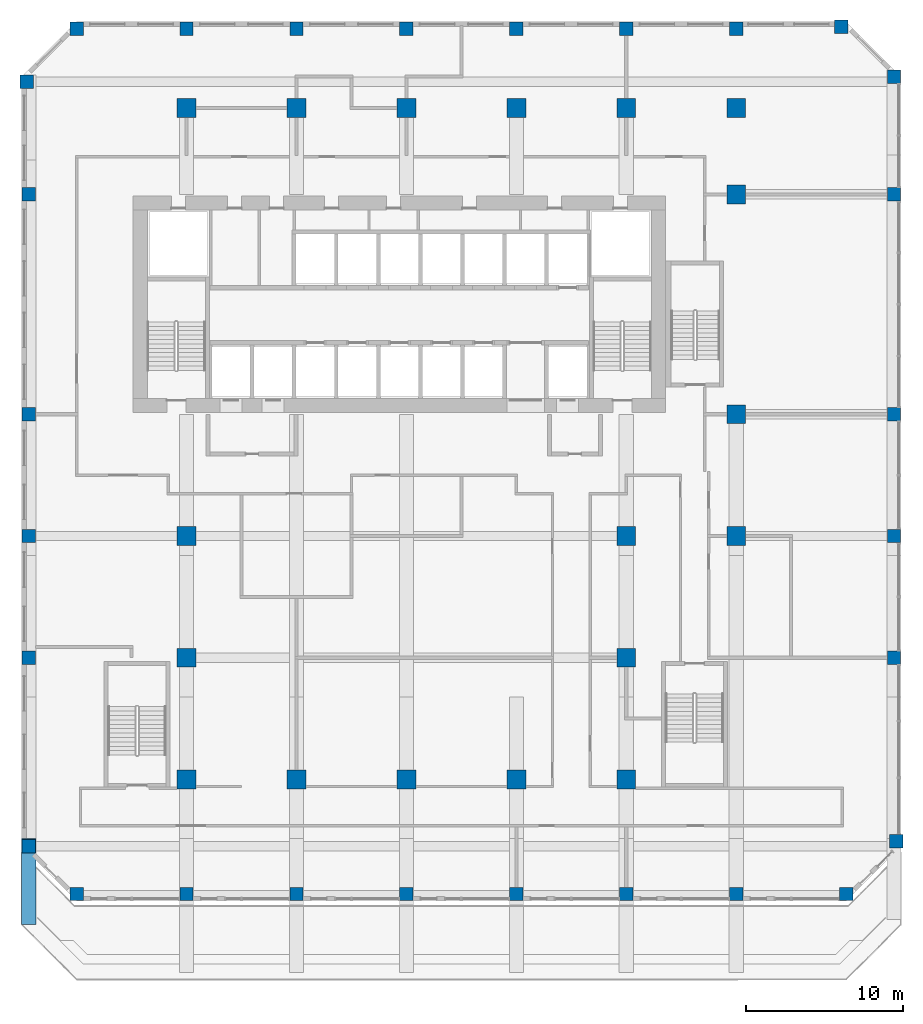
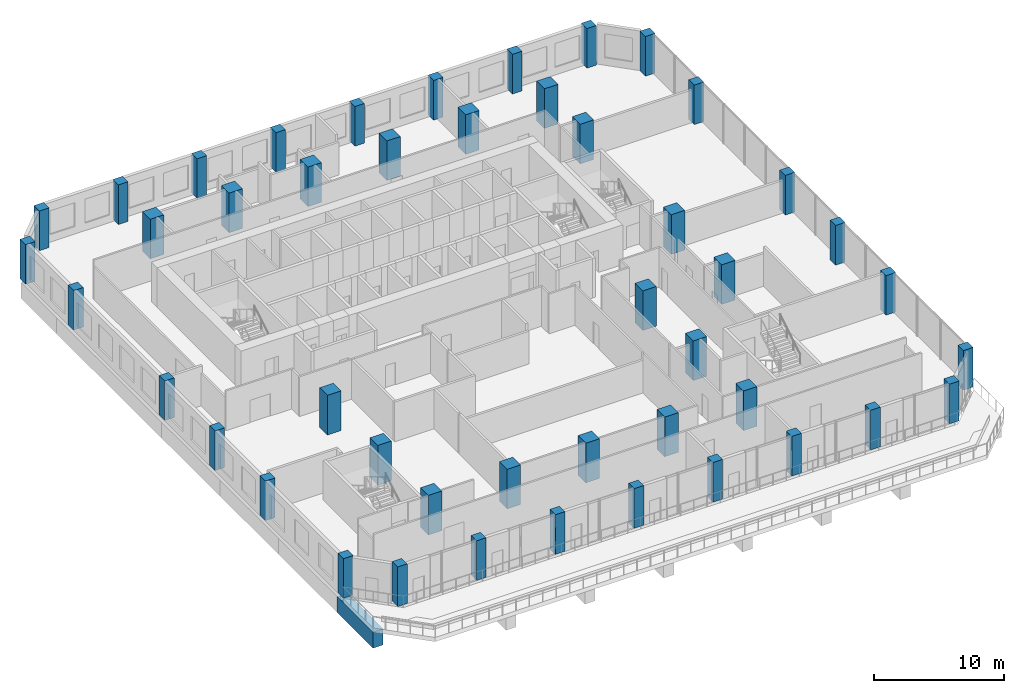
# One storey, part 1 of 17: 46 columns, 1 beam.
"""IFC4 building model written with IfcOpenShell, lengths in metres."""

import ifcopenshell
import ifcopenshell.guid

model = None  # the IFC model being written
_history = None  # IfcOwnerHistory: only IFC2X3 demands one
_inside = {}  # id of a spatial element -> (the spatial element, [elements in it])
_under = {}  # id of a project, library or spatial element -> (it, [spatial elements below it])
_declared = {}  # id of a project -> (the project, [libraries it declares])
_typed = {}  # id of a type object -> (the type object, [elements of that type])
_made_of = {}  # id of a material, layer set ... -> (it, [elements and type objects made of it])


def new_model(schema):
    """Start an empty IFC model of exactly this schema.

    Asked for "IFC4X3", IfcOpenShell would pick the latest addendum, in which some entities
    have other attributes; the version numbers below select the first issue.
    IFC2X3 requires an IfcOwnerHistory on every rooted entity: one is made here for all.
    """
    global model, _history
    if schema == "IFC4X3":
        model = ifcopenshell.file(schema_version=(4, 3, 0, 0))
    else:
        model = ifcopenshell.file(schema=schema)
    _inside.clear()
    _under.clear()
    _declared.clear()
    _typed.clear()
    _made_of.clear()
    _history = None
    if model.schema == "IFC2X3":
        org = make("IfcOrganization", Name="unknown")
        user = make(
            "IfcPersonAndOrganization",
            ThePerson=make("IfcPerson", FamilyName="unknown"),
            TheOrganization=org,
        )
        app = make(
            "IfcApplication",
            ApplicationDeveloper=org,
            Version="unknown",
            ApplicationFullName="unknown",
            ApplicationIdentifier="unknown",
        )
        _history = make(
            "IfcOwnerHistory",
            OwningUser=user,
            OwningApplication=app,
            ChangeAction="ADDED",
            CreationDate=0,
        )
    return model


def make(cls, **values):
    """One entity of the class cls with the attributes given. An attribute that is None is left unset."""
    return model.create_entity(
        cls, **{name: value for name, value in values.items() if value is not None}
    )


def rooted(cls, **values):
    """An entity with a GlobalId (a new one), such as an element, a storey or a relation."""
    return make(cls, GlobalId=ifcopenshell.guid.new(), OwnerHistory=_history, **values)


def si_unit(unit_type, name, prefix=None):
    """IfcSIUnit, for example si_unit("LENGTHUNIT", "METRE", prefix="MILLI")."""
    return make("IfcSIUnit", UnitType=unit_type, Prefix=prefix, Name=name)


def assignment(units):
    """IfcUnitAssignment: the units of a project."""
    return None if units is None else make("IfcUnitAssignment", Units=units)


def point(xyz):
    """IfcCartesianPoint."""
    return None if xyz is None else make("IfcCartesianPoint", Coordinates=xyz)


def direction(xyz):
    """IfcDirection."""
    return None if xyz is None else make("IfcDirection", DirectionRatios=xyz)


def frame(location, z_axis=None, x_axis=None):
    """IfcAxis2Placement3D, a coordinate frame: its origin and axes. An axis left out is left unset."""
    return make(
        "IfcAxis2Placement3D",
        Location=point(location),
        Axis=direction(z_axis),
        RefDirection=direction(x_axis),
    )


def frame_2d(location, x_axis=None):
    """IfcAxis2Placement2D, a coordinate frame in the plane: its origin and x axis."""
    return make(
        "IfcAxis2Placement2D", Location=point(location), RefDirection=direction(x_axis)
    )


def origin():
    """The frame at (0, 0, 0) with its axes left unset."""
    return frame((0.0, 0.0, 0.0))


def origin_2d():
    """The frame at (0, 0) in the plane with its x axis left unset."""
    return frame_2d((0.0, 0.0))


def place(relative_to, where):
    """IfcLocalPlacement: puts the frame where relative to a parent placement (None: the world)."""
    return make(
        "IfcLocalPlacement", PlacementRelTo=relative_to, RelativePlacement=where
    )


def context(
    kind, dimensions, precision=None, world=None, true_north=None, identifier=None
):
    """IfcGeometricRepresentationContext, for example the 3D "Model" context."""
    return make(
        "IfcGeometricRepresentationContext",
        ContextIdentifier=identifier,
        ContextType=kind,
        CoordinateSpaceDimension=dimensions,
        Precision=precision,
        WorldCoordinateSystem=world,
        TrueNorth=true_north,
    )


def subcontext(parent, identifier, kind, view, scale=None):
    """IfcGeometricRepresentationSubContext, for example "Body" below "Model"."""
    return make(
        "IfcGeometricRepresentationSubContext",
        ContextIdentifier=identifier,
        ContextType=kind,
        ParentContext=parent,
        TargetScale=scale,
        TargetView=view,
    )


def project(units=None, contexts=None):
    """IfcProject with its units and contexts."""
    return rooted(
        "IfcProject",
        Name="project",
        RepresentationContexts=contexts,
        UnitsInContext=assignment(units),
    )


def spatial(cls, under=None, at=None, **own):
    """A site, building, storey or space (cls), placed at a placement, below another one or the project."""
    s = rooted(cls, ObjectPlacement=at, **own)
    if under is not None:
        _under.setdefault(under.id(), (under, []))[1].append(s)
    return s


def profile(cls, at=None, kind="AREA", **sizes):
    """A parametric profile (cls). Its sizes go by their IFC names, for example OverallWidth=200.0."""
    return make(cls, ProfileType=kind, Position=at, **sizes)


def rectangle(**sizes):
    """IfcRectangleProfileDef."""
    return profile("IfcRectangleProfileDef", **sizes)


def extrude(swept, where, along, depth):
    """IfcExtrudedAreaSolid: the profile swept, set in the frame where, extruded along a direction by depth."""
    return make(
        "IfcExtrudedAreaSolid",
        SweptArea=swept,
        Position=where,
        ExtrudedDirection=direction(along),
        Depth=depth,
    )


def shape(context_of_items, identifier, shape_type, items):
    """IfcShapeRepresentation: the items that make up one representation, for example the "Body"."""
    return make(
        "IfcShapeRepresentation",
        ContextOfItems=context_of_items,
        RepresentationIdentifier=identifier,
        RepresentationType=shape_type,
        Items=items,
    )


def source(mapping_origin, context_of_items, identifier, shape_type, items):
    """IfcRepresentationMap: a shape defined once, which mapped items show again and again."""
    return make(
        "IfcRepresentationMap",
        MappingOrigin=mapping_origin,
        MappedRepresentation=shape(context_of_items, identifier, shape_type, items),
    )


def transform(
    local_origin,
    x_axis=None,
    y_axis=None,
    z_axis=None,
    scale=None,
    scale2=None,
    scale3=None,
    uniform=True,
):
    """IfcCartesianTransformationOperator3D, or its non-uniform kind. x_axis, y_axis, z_axis: its Axis1, 2, 3."""
    if uniform:
        return make(
            "IfcCartesianTransformationOperator3D",
            Axis1=direction(x_axis),
            Axis2=direction(y_axis),
            LocalOrigin=point(local_origin),
            Scale=scale,
            Axis3=direction(z_axis),
        )
    return make(
        "IfcCartesianTransformationOperator3DnonUniform",
        Axis1=direction(x_axis),
        Axis2=direction(y_axis),
        LocalOrigin=point(local_origin),
        Scale=scale,
        Axis3=direction(z_axis),
        Scale2=scale2,
        Scale3=scale3,
    )


def mapped(mapping_source, mapping_target):
    """IfcMappedItem: shows the shape of a source again, moved by a transform."""
    return make(
        "IfcMappedItem", MappingSource=mapping_source, MappingTarget=mapping_target
    )


def material(Name=None, Category=None):
    """IfcMaterial."""
    return make("IfcMaterial", Name=Name, Category=Category)


def material_profile(
    of_material, cross_section, Name=None, Category=None, Priority=None
):
    """IfcMaterialProfile: a cross section and its material."""
    return make(
        "IfcMaterialProfile",
        Name=Name,
        Material=of_material,
        Profile=cross_section,
        Priority=Priority,
        Category=Category,
    )


def profile_set(profiles, Name=None, composite=None):
    """IfcMaterialProfileSet."""
    return make(
        "IfcMaterialProfileSet",
        Name=Name,
        MaterialProfiles=profiles,
        CompositeProfile=composite,
    )


def made_of(thing, what):
    """Note that an element or type object is made of a material, layer set ...; save() writes the relation."""
    if what is not None:
        _made_of.setdefault(what.id(), (what, []))[1].append(thing)
    return thing


def type_object(cls, material=None, **own):
    """A type object (cls), such as IfcWallType, which elements share."""
    return made_of(rooted(cls, **own), material)


def element(
    cls,
    number,
    at=None,
    inside=None,
    cuts=None,
    type_object=None,
    material=None,
    context=None,
    identifier="Body",
    shape_type=None,
    held_by="IfcProductDefinitionShape",
    body=None,
    shapes=None,
    **own,
):
    """One element of the class cls, such as IfcWall. Its Tag is "e" and its number.

    at: its placement. inside: the storey or other place that contains it. cuts: it is an
    opening in that element (IfcRelVoidsElement). A single representation is given by context,
    identifier, shape_type and body (its items); several are given by shapes. held_by: the class
    of the entity that holds the representations. save() writes the other relations.
    """
    e = rooted(cls, Tag="e%d" % number, ObjectPlacement=at, **own)
    if body is not None:
        shapes = [shape(context, identifier, shape_type, body)]
    if shapes is not None:
        e.Representation = make(held_by, Representations=shapes)
    if inside is not None:
        _inside.setdefault(inside.id(), (inside, []))[1].append(e)
    if cuts is not None:
        rooted(
            "IfcRelVoidsElement", RelatingBuildingElement=cuts, RelatedOpeningElement=e
        )
    if type_object is not None:
        _typed.setdefault(type_object.id(), (type_object, []))[1].append(e)
    return made_of(e, material)


def aggregate(whole, parts):
    """IfcRelAggregates: a whole, such as a stair, and the parts it consists of."""
    return rooted("IfcRelAggregates", RelatingObject=whole, RelatedObjects=parts)


def save(model, path):
    """Write the relations noted so far, then the file.

    IfcRelAggregates (storeys below a building ...), IfcRelContainedInSpatialStructure (elements
    in a storey), IfcRelDefinesByType, IfcRelAssociatesMaterial and IfcRelDeclares: one each for
    every whole, place, type object, material and project.
    """
    for whole, parts in _under.values():
        aggregate(whole, parts)
    for where, things in _inside.values():
        rooted(
            "IfcRelContainedInSpatialStructure",
            RelatedElements=things,
            RelatingStructure=where,
        )
    for kind, things in _typed.values():
        rooted("IfcRelDefinesByType", RelatedObjects=things, RelatingType=kind)
    for what, things in _made_of.values():
        rooted("IfcRelAssociatesMaterial", RelatedObjects=things, RelatingMaterial=what)
    for by, libraries in _declared.values():
        rooted("IfcRelDeclares", RelatingContext=by, RelatedDefinitions=libraries)
    model.write(path)


model = new_model("IFC4")

# Units and contexts
model_context = context("Model", 3, precision=1e-05, world=origin(), true_north=direction((0.0, 1.0)))
body_context = subcontext(model_context, "Body", "Model", "MODEL_VIEW")
ifc_project = project(units=[si_unit("LENGTHUNIT", "METRE"), si_unit("AREAUNIT", "SQUARE_METRE"), si_unit("VOLUMEUNIT", "CUBIC_METRE"), si_unit("PLANEANGLEUNIT", "RADIAN"), si_unit("MASSUNIT", "GRAM", prefix="KILO")], contexts=[model_context])

# Site, building, storey
site_placement = place(None, origin())
site = spatial("IfcSite", under=ifc_project, at=site_placement, CompositionType="ELEMENT")
building_placement = place(site_placement, origin())
building = spatial("IfcBuilding", under=site, at=building_placement, Name="Kilnfold Tower and Market Hall", CompositionType="ELEMENT")
storey_placement = place(building_placement, frame((0.0, 0.0, 100.60009765625)))
storey = spatial("IfcBuildingStorey", under=building, at=storey_placement, Name="L23", CompositionType="ELEMENT", Elevation=100.60009765625)

# Columns
ifc_material_1 = material(Name="Concrete C80", Category="concrete")
ifc_material_profile_1 = material_profile(ifc_material_1, rectangle(XDim=0.85009765625, YDim=0.85009765625, at=origin_2d()), Name="RC 850x850")
ifc_profile_set_1 = profile_set([ifc_material_profile_1], Name="Concrete C80")
column_type_1 = type_object("IfcColumnType", Name="COLUMN 850X850 C80", PredefinedType="COLUMN", material=ifc_profile_set_1)
shared_shape_1 = source(origin(), body_context, "Body", "SweptSolid", [
    extrude(rectangle(XDim=0.85009765625, YDim=0.85009765625, at=origin_2d()), origin(), (0.0, 0.0, 1.0), 3.719970703125),
])
for number, where, z_axis, x_axis, name in (
    (1, (-22.681884765625, 29.181884765625, 0.0), (0.0, 0.0, 1.0), (1.0, 0.0, 0.0), "Column C-B3-1I"),
    (2, (-22.550048828125, -19.5, 0.0), (0.0, 0.0, 1.0), (1.0, 0.0, 0.0), "Column C-B3-1B"),
    (3, (-22.550048828125, -7.5, 0.0), (0.0, 0.0, 1.0), (1.0, 0.0, 0.0), "Column C-B3-1D"),
    (4, (-22.550048828125, 0.25, 0.0), (0.0, 0.0, 1.0), (1.0, 0.0, 0.0), "Column C-B3-1E"),
    (5, (-22.550048828125, 8.0, 0.0), (0.0, 0.0, 1.0), (1.0, 0.0, 0.0), "Column C-B3-1F"),
    (6, (-22.550048828125, 22.0, 0.0), (0.0, 0.0, 1.0), (1.0, 0.0, 0.0), "Column C-B3-1G"),
    (7, (-19.5, -22.550048828125, 0.0), (0.0, 0.0, 1.0), (1.0, 0.0, 0.0), "Column C-B3-2A"),
    (8, (-19.5, 32.550048828125, 0.0), (0.0, 0.0, 1.0), (1.0, 0.0, 0.0), "Column C-B3-2J"),
    (9, (-12.5, -22.550048828125, 0.0), (0.0, 0.0, 1.0), (1.0, 0.0, 0.0), "Column C-B3-3A"),
    (10, (-12.5, 32.550048828125, 0.0), (0.0, 0.0, 1.0), (1.0, 0.0, 0.0), "Column C-B3-3J"),
    (11, (-5.5, -22.550048828125, 0.0), (0.0, 0.0, 1.0), (1.0, 0.0, 0.0), "Column C-B3-4A"),
    (12, (-5.5, 32.550048828125, 0.0), (0.0, 0.0, 1.0), (1.0, 0.0, 0.0), "Column C-B3-4J"),
    (13, (1.5, -22.550048828125, 0.0), (0.0, 0.0, 1.0), (1.0, 0.0, 0.0), "Column C-B3-5A"),
    (14, (1.5, 32.550048828125, 0.0), (0.0, 0.0, 1.0), (1.0, 0.0, 0.0), "Column C-B3-5J"),
    (15, (8.5, -22.550048828125, 0.0), (0.0, 0.0, 1.0), (1.0, 0.0, 0.0), "Column C-B3-6A"),
    (16, (8.5, 32.550048828125, 0.0), (0.0, 0.0, 1.0), (1.0, 0.0, 0.0), "Column C-B3-6J"),
    (17, (15.5, -22.550048828125, 0.0), (0.0, 0.0, 1.0), (1.0, 0.0, 0.0), "Column C-B3-7A"),
    (18, (15.5, 32.550048828125, 0.0), (0.0, 0.0, 1.0), (1.0, 0.0, 0.0), "Column C-B3-7J"),
    (19, (22.5, -22.550048828125, 0.0), (0.0, 0.0, 1.0), (1.0, 0.0, 0.0), "Column C-B3-8A"),
    (20, (22.5, 32.550048828125, 0.0), (0.0, 0.0, 1.0), (1.0, 0.0, 0.0), "Column C-B3-8J"),
    (21, (29.181884765625, 32.681884765625, 0.0), (0.0, 0.0, 1.0), (1.0, 0.0, 0.0), "Column C-B3-9J"),
    (22, (29.5, -22.550048828125, 0.0), (0.0, 0.0, 1.0), (1.0, 0.0, 0.0), "Column C-B3-9A"),
    (23, (32.550048828125, -7.5, 0.0), (0.0, 0.0, 1.0), (1.0, 0.0, 0.0), "Column C-B3-10D"),
    (24, (32.550048828125, 0.25, 0.0), (0.0, 0.0, 1.0), (1.0, 0.0, 0.0), "Column C-B3-10E"),
    (25, (32.550048828125, 8.0, 0.0), (0.0, 0.0, 1.0), (1.0, 0.0, 0.0), "Column C-B3-10F"),
    (26, (32.550048828125, 22.0, 0.0), (0.0, 0.0, 1.0), (1.0, 0.0, 0.0), "Column C-B3-10G"),
    (27, (32.550048828125, 29.5, 0.0), (0.0, 0.0, 1.0), (1.0, 0.0, 0.0), "Column C-B3-10I"),
    (28, (32.681884765625, -19.181884765625, 0.0), (0.0, 0.0, 1.0), (1.0, 0.0, 0.0), "Column C-B3-10B"),
):
    element("IfcColumn", number, at=place(storey_placement, frame(where, z_axis=z_axis, x_axis=x_axis)), inside=storey, type_object=column_type_1, Name=name, PredefinedType="COLUMN", context=body_context, shape_type="MappedRepresentation", body=[
        mapped(shared_shape_1, transform((0.0, 0.0, 0.0))),
    ])
ifc_material_2 = material(Name="Concrete C80", Category="concrete")
ifc_material_profile_2 = material_profile(ifc_material_2, rectangle(XDim=1.199951171875, YDim=1.199951171875, at=origin_2d()), Name="RC 1200x1200")
ifc_profile_set_2 = profile_set([ifc_material_profile_2], Name="Concrete C80")
column_type_2 = type_object("IfcColumnType", Name="COLUMN 1200X1200 C80", PredefinedType="COLUMN", material=ifc_profile_set_2)
shared_shape_2 = source(origin(), body_context, "Body", "SweptSolid", [
    extrude(rectangle(XDim=1.199951171875, YDim=1.199951171875, at=origin_2d()), origin(), (0.0, 0.0, 1.0), 3.719970703125),
])
for number, where, z_axis, x_axis, name in (
    (29, (-12.5, -15.25, 0.0), (0.0, 0.0, 1.0), (1.0, 0.0, 0.0), "Column C-B3-3C"),
    (30, (-12.5, -7.5, 0.0), (0.0, 0.0, 1.0), (1.0, 0.0, 0.0), "Column C-B3-3D"),
    (31, (-12.5, 0.25, 0.0), (0.0, 0.0, 1.0), (1.0, 0.0, 0.0), "Column C-B3-3E"),
    (32, (-12.5, 27.5, 0.0), (0.0, 0.0, 1.0), (1.0, 0.0, 0.0), "Column C-B3-3H"),
    (33, (-5.5, -15.25, 0.0), (0.0, 0.0, 1.0), (1.0, 0.0, 0.0), "Column C-B3-4C"),
    (34, (-5.5, 27.5, 0.0), (0.0, 0.0, 1.0), (1.0, 0.0, 0.0), "Column C-B3-4H"),
    (35, (1.5, -15.25, 0.0), (0.0, 0.0, 1.0), (1.0, 0.0, 0.0), "Column C-B3-5C"),
    (36, (1.5, 27.5, 0.0), (0.0, 0.0, 1.0), (1.0, 0.0, 0.0), "Column C-B3-5H"),
    (37, (8.5, -15.25, 0.0), (0.0, 0.0, 1.0), (1.0, 0.0, 0.0), "Column C-B3-6C"),
    (38, (8.5, 27.5, 0.0), (0.0, 0.0, 1.0), (1.0, 0.0, 0.0), "Column C-B3-6H"),
    (39, (15.5, -15.25, 0.0), (0.0, 0.0, 1.0), (1.0, 0.0, 0.0), "Column C-B3-7C"),
    (40, (15.5, -7.5, 0.0), (0.0, 0.0, 1.0), (1.0, 0.0, 0.0), "Column C-B3-7D"),
    (41, (15.5, 0.25, 0.0), (0.0, 0.0, 1.0), (1.0, 0.0, 0.0), "Column C-B3-7E"),
    (42, (15.5, 27.5, 0.0), (0.0, 0.0, 1.0), (1.0, 0.0, 0.0), "Column C-B3-7H"),
    (43, (22.5, 0.25, 0.0), (0.0, 0.0, 1.0), (1.0, 0.0, 0.0), "Column C-B3-8E"),
    (44, (22.5, 8.0, 0.0), (0.0, 0.0, 1.0), (1.0, 0.0, 0.0), "Column C-B3-8F"),
    (45, (22.5, 22.0, 0.0), (0.0, 0.0, 1.0), (1.0, 0.0, 0.0), "Column C-B3-8G"),
    (46, (22.5, 27.5, 0.0), (0.0, 0.0, 1.0), (1.0, 0.0, 0.0), "Column C-B3-8H"),
):
    element("IfcColumn", number, at=place(storey_placement, frame(where, z_axis=z_axis, x_axis=x_axis)), inside=storey, type_object=column_type_2, Name=name, PredefinedType="COLUMN", context=body_context, shape_type="MappedRepresentation", body=[
        mapped(shared_shape_2, transform((0.0, 0.0, 0.0))),
    ])

# Beam
ifc_material_3 = material(Name="Concrete C60", Category="concrete")
ifc_material_profile_3 = material_profile(ifc_material_3, rectangle(XDim=0.89990234375, YDim=1.5, at=origin_2d()), Name="RC 900x1500")
ifc_profile_set_3 = profile_set([ifc_material_profile_3], Name="Concrete C60")
beam_type = type_object("IfcBeamType", Name="TRANSFER GIRDER 900X1500 C60", PredefinedType="BEAM", material=ifc_profile_set_3)
shared_shape_3 = source(origin(), body_context, "Body", "SweptSolid", [
    extrude(rectangle(XDim=0.89990234375, YDim=1.5, at=origin_2d()), origin(), (0.0, 0.0, 1.0), 5.5),
])
beam_placement = place(storey_placement, frame((-22.550048828125, -24.5, -1.150146484375), z_axis=(0.0, 1.0, 0.0), x_axis=(-1.0, 0.0, 0.0)))
element("IfcBeam", 47, at=beam_placement, inside=storey, type_object=beam_type, Name="Beam TG1500-B3.1", PredefinedType="BEAM", context=body_context, shape_type="MappedRepresentation", body=[
    mapped(shared_shape_3, transform((0.0, 0.0, 0.0))),
])

save(model, "model.ifc")
